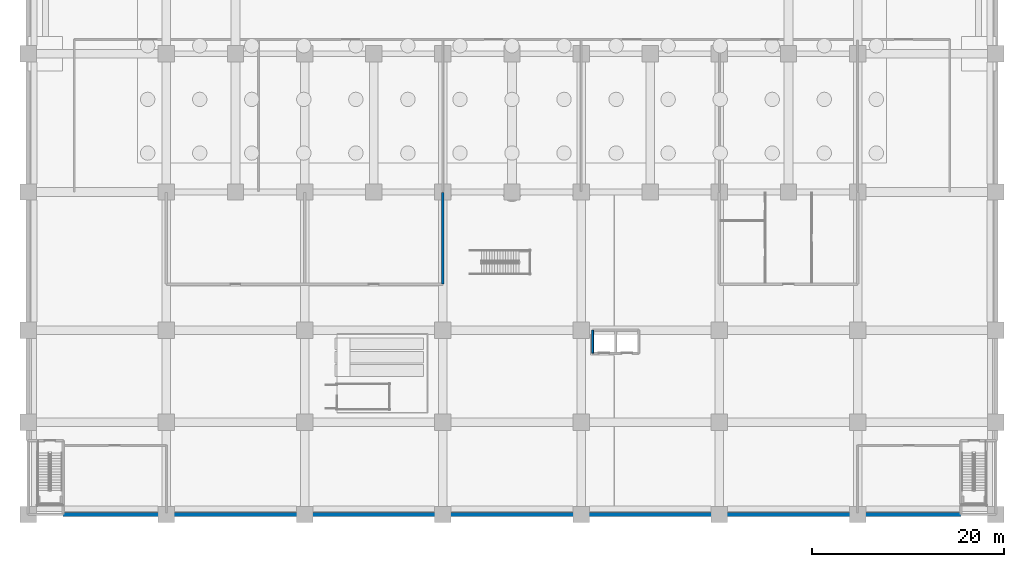
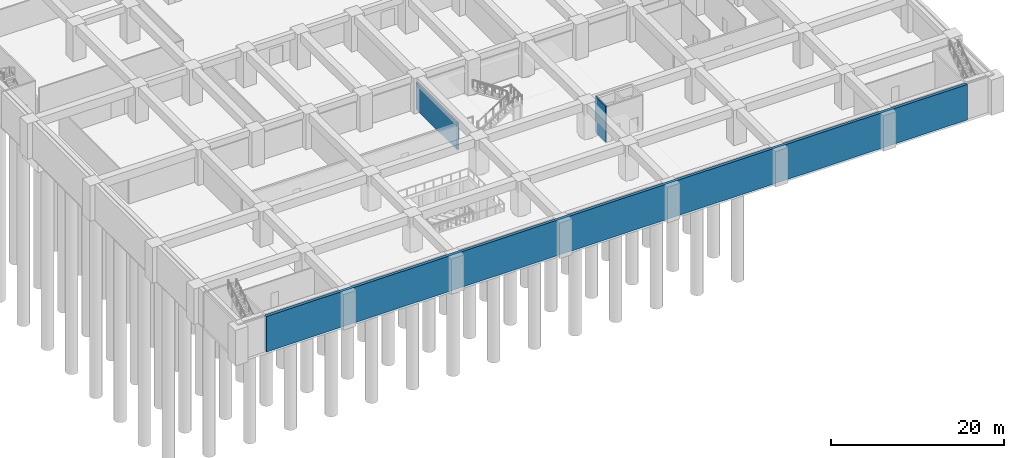
# One storey, part 4 of 20: 3 walls.
"""IFC4 building model written with IfcOpenShell, lengths in metres."""

import ifcopenshell
import ifcopenshell.guid

model = None  # the IFC model being written
_history = None  # IfcOwnerHistory: only IFC2X3 demands one
_inside = {}  # id of a spatial element -> (the spatial element, [elements in it])
_under = {}  # id of a project, library or spatial element -> (it, [spatial elements below it])
_declared = {}  # id of a project -> (the project, [libraries it declares])
_typed = {}  # id of a type object -> (the type object, [elements of that type])
_made_of = {}  # id of a material, layer set ... -> (it, [elements and type objects made of it])


def new_model(schema):
    """Start an empty IFC model of exactly this schema.

    Asked for "IFC4X3", IfcOpenShell would pick the latest addendum, in which some entities
    have other attributes; the version numbers below select the first issue.
    IFC2X3 requires an IfcOwnerHistory on every rooted entity: one is made here for all.
    """
    global model, _history
    if schema == "IFC4X3":
        model = ifcopenshell.file(schema_version=(4, 3, 0, 0))
    else:
        model = ifcopenshell.file(schema=schema)
    _inside.clear()
    _under.clear()
    _declared.clear()
    _typed.clear()
    _made_of.clear()
    _history = None
    if model.schema == "IFC2X3":
        org = make("IfcOrganization", Name="unknown")
        user = make(
            "IfcPersonAndOrganization",
            ThePerson=make("IfcPerson", FamilyName="unknown"),
            TheOrganization=org,
        )
        app = make(
            "IfcApplication",
            ApplicationDeveloper=org,
            Version="unknown",
            ApplicationFullName="unknown",
            ApplicationIdentifier="unknown",
        )
        _history = make(
            "IfcOwnerHistory",
            OwningUser=user,
            OwningApplication=app,
            ChangeAction="ADDED",
            CreationDate=0,
        )
    return model


def make(cls, **values):
    """One entity of the class cls with the attributes given. An attribute that is None is left unset."""
    return model.create_entity(
        cls, **{name: value for name, value in values.items() if value is not None}
    )


def rooted(cls, **values):
    """An entity with a GlobalId (a new one), such as an element, a storey or a relation."""
    return make(cls, GlobalId=ifcopenshell.guid.new(), OwnerHistory=_history, **values)


def si_unit(unit_type, name, prefix=None):
    """IfcSIUnit, for example si_unit("LENGTHUNIT", "METRE", prefix="MILLI")."""
    return make("IfcSIUnit", UnitType=unit_type, Prefix=prefix, Name=name)


def assignment(units):
    """IfcUnitAssignment: the units of a project."""
    return None if units is None else make("IfcUnitAssignment", Units=units)


def point(xyz):
    """IfcCartesianPoint."""
    return None if xyz is None else make("IfcCartesianPoint", Coordinates=xyz)


def direction(xyz):
    """IfcDirection."""
    return None if xyz is None else make("IfcDirection", DirectionRatios=xyz)


def frame(location, z_axis=None, x_axis=None):
    """IfcAxis2Placement3D, a coordinate frame: its origin and axes. An axis left out is left unset."""
    return make(
        "IfcAxis2Placement3D",
        Location=point(location),
        Axis=direction(z_axis),
        RefDirection=direction(x_axis),
    )


def frame_2d(location, x_axis=None):
    """IfcAxis2Placement2D, a coordinate frame in the plane: its origin and x axis."""
    return make(
        "IfcAxis2Placement2D", Location=point(location), RefDirection=direction(x_axis)
    )


def origin():
    """The frame at (0, 0, 0) with its axes left unset."""
    return frame((0.0, 0.0, 0.0))


def place(relative_to, where):
    """IfcLocalPlacement: puts the frame where relative to a parent placement (None: the world)."""
    return make(
        "IfcLocalPlacement", PlacementRelTo=relative_to, RelativePlacement=where
    )


def context(
    kind, dimensions, precision=None, world=None, true_north=None, identifier=None
):
    """IfcGeometricRepresentationContext, for example the 3D "Model" context."""
    return make(
        "IfcGeometricRepresentationContext",
        ContextIdentifier=identifier,
        ContextType=kind,
        CoordinateSpaceDimension=dimensions,
        Precision=precision,
        WorldCoordinateSystem=world,
        TrueNorth=true_north,
    )


def subcontext(parent, identifier, kind, view, scale=None):
    """IfcGeometricRepresentationSubContext, for example "Body" below "Model"."""
    return make(
        "IfcGeometricRepresentationSubContext",
        ContextIdentifier=identifier,
        ContextType=kind,
        ParentContext=parent,
        TargetScale=scale,
        TargetView=view,
    )


def project(units=None, contexts=None):
    """IfcProject with its units and contexts."""
    return rooted(
        "IfcProject",
        Name="project",
        RepresentationContexts=contexts,
        UnitsInContext=assignment(units),
    )


def spatial(cls, under=None, at=None, **own):
    """A site, building, storey or space (cls), placed at a placement, below another one or the project."""
    s = rooted(cls, ObjectPlacement=at, **own)
    if under is not None:
        _under.setdefault(under.id(), (under, []))[1].append(s)
    return s


def profile(cls, at=None, kind="AREA", **sizes):
    """A parametric profile (cls). Its sizes go by their IFC names, for example OverallWidth=200.0."""
    return make(cls, ProfileType=kind, Position=at, **sizes)


def rectangle(**sizes):
    """IfcRectangleProfileDef."""
    return profile("IfcRectangleProfileDef", **sizes)


def extrude(swept, where, along, depth):
    """IfcExtrudedAreaSolid: the profile swept, set in the frame where, extruded along a direction by depth."""
    return make(
        "IfcExtrudedAreaSolid",
        SweptArea=swept,
        Position=where,
        ExtrudedDirection=direction(along),
        Depth=depth,
    )


def shape(context_of_items, identifier, shape_type, items):
    """IfcShapeRepresentation: the items that make up one representation, for example the "Body"."""
    return make(
        "IfcShapeRepresentation",
        ContextOfItems=context_of_items,
        RepresentationIdentifier=identifier,
        RepresentationType=shape_type,
        Items=items,
    )


def material(Name=None, Category=None):
    """IfcMaterial."""
    return make("IfcMaterial", Name=Name, Category=Category)


def layer(
    of_material, thickness, ventilated=None, Name=None, Category=None, Priority=None
):
    """IfcMaterialLayer: one layer of a wall or slab, of a material (None: an air gap)."""
    return make(
        "IfcMaterialLayer",
        Material=of_material,
        LayerThickness=thickness,
        IsVentilated=ventilated,
        Name=Name,
        Category=Category,
        Priority=Priority,
    )


def layer_set(layers, Name=None):
    """IfcMaterialLayerSet."""
    return make("IfcMaterialLayerSet", MaterialLayers=layers, LayerSetName=Name)


def made_of(thing, what):
    """Note that an element or type object is made of a material, layer set ...; save() writes the relation."""
    if what is not None:
        _made_of.setdefault(what.id(), (what, []))[1].append(thing)
    return thing


def type_object(cls, material=None, **own):
    """A type object (cls), such as IfcWallType, which elements share."""
    return made_of(rooted(cls, **own), material)


def element(
    cls,
    number,
    at=None,
    inside=None,
    cuts=None,
    type_object=None,
    material=None,
    context=None,
    identifier="Body",
    shape_type=None,
    held_by="IfcProductDefinitionShape",
    body=None,
    shapes=None,
    **own,
):
    """One element of the class cls, such as IfcWall. Its Tag is "e" and its number.

    at: its placement. inside: the storey or other place that contains it. cuts: it is an
    opening in that element (IfcRelVoidsElement). A single representation is given by context,
    identifier, shape_type and body (its items); several are given by shapes. held_by: the class
    of the entity that holds the representations. save() writes the other relations.
    """
    e = rooted(cls, Tag="e%d" % number, ObjectPlacement=at, **own)
    if body is not None:
        shapes = [shape(context, identifier, shape_type, body)]
    if shapes is not None:
        e.Representation = make(held_by, Representations=shapes)
    if inside is not None:
        _inside.setdefault(inside.id(), (inside, []))[1].append(e)
    if cuts is not None:
        rooted(
            "IfcRelVoidsElement", RelatingBuildingElement=cuts, RelatedOpeningElement=e
        )
    if type_object is not None:
        _typed.setdefault(type_object.id(), (type_object, []))[1].append(e)
    return made_of(e, material)


def aggregate(whole, parts):
    """IfcRelAggregates: a whole, such as a stair, and the parts it consists of."""
    return rooted("IfcRelAggregates", RelatingObject=whole, RelatedObjects=parts)


def save(model, path):
    """Write the relations noted so far, then the file.

    IfcRelAggregates (storeys below a building ...), IfcRelContainedInSpatialStructure (elements
    in a storey), IfcRelDefinesByType, IfcRelAssociatesMaterial and IfcRelDeclares: one each for
    every whole, place, type object, material and project.
    """
    for whole, parts in _under.values():
        aggregate(whole, parts)
    for where, things in _inside.values():
        rooted(
            "IfcRelContainedInSpatialStructure",
            RelatedElements=things,
            RelatingStructure=where,
        )
    for kind, things in _typed.values():
        rooted("IfcRelDefinesByType", RelatedObjects=things, RelatingType=kind)
    for what, things in _made_of.values():
        rooted("IfcRelAssociatesMaterial", RelatedObjects=things, RelatingMaterial=what)
    for by, libraries in _declared.values():
        rooted("IfcRelDeclares", RelatingContext=by, RelatedDefinitions=libraries)
    model.write(path)


model = new_model("IFC4")

# Units and contexts
model_context = context("Model", 3, precision=1e-05, world=origin(), true_north=direction((0.0, 1.0)))
body_context = subcontext(model_context, "Body", "Model", "MODEL_VIEW")
ifc_project = project(units=[si_unit("LENGTHUNIT", "METRE"), si_unit("AREAUNIT", "SQUARE_METRE"), si_unit("VOLUMEUNIT", "CUBIC_METRE"), si_unit("PLANEANGLEUNIT", "RADIAN"), si_unit("MASSUNIT", "GRAM", prefix="KILO")], contexts=[model_context])

# Site, building, storey
site_placement = place(None, origin())
site = spatial("IfcSite", under=ifc_project, at=site_placement, CompositionType="ELEMENT")
building_placement = place(site_placement, origin())
building = spatial("IfcBuilding", under=site, at=building_placement, Name="Saffron Iwan Residences", CompositionType="ELEMENT")
storey_placement = place(building_placement, frame((0.0, 0.0, -5.39990234375)))
storey = spatial("IfcBuildingStorey", under=building, at=storey_placement, Name="B1", CompositionType="ELEMENT", Elevation=-5.39990234375)

# Walls
ifc_material = material(Name="Concrete C40/50", Category="concrete")
ifc_layer_1 = layer(ifc_material, 0.39990234375)
ifc_layer_set_1 = layer_set([ifc_layer_1], Name="Concrete C40/50")
wall_type_1 = type_object("IfcWallType", Name="Basement wall 400", PredefinedType="SOLIDWALL", material=ifc_layer_set_1)
wall_1_placement = place(storey_placement, frame((3.64990234375, 0.0, 0.0), z_axis=(0.0, 0.0, 1.0), x_axis=(1.0, 0.0, 0.0)))
element("IfcWall", 1, at=wall_1_placement, inside=storey, type_object=wall_type_1, Name="W-B1-001", PredefinedType="SOLIDWALL", context=body_context, shape_type="SweptSolid", body=[
    extrude(rectangle(XDim=93.5, YDim=0.39990234375, at=frame_2d((46.75, 0.0))), origin(), (0.0, 0.0, 1.0), 5.0),
])
ifc_layer_2 = layer(ifc_material, 0.25)
ifc_layer_set_2 = layer_set([ifc_layer_2], Name="Concrete C40/50")
wall_type_2 = type_object("IfcWallType", Name="Fire compartment wall 250", PredefinedType="SOLIDWALL", material=ifc_layer_set_2)
wall_2_placement = place(storey_placement, frame((43.199951171875, 24.0, 0.0), z_axis=(0.0, 0.0, 1.0), x_axis=(0.0, 1.0, 0.0)))
element("IfcWall", 2, at=wall_2_placement, inside=storey, type_object=wall_type_2, Name="W-B1-037", PredefinedType="SOLIDWALL", context=body_context, shape_type="SweptSolid", body=[
    extrude(rectangle(XDim=9.52490234375, YDim=0.25, at=frame_2d((4.762451171875, 0.0))), origin(), (0.0, 0.0, 1.0), 3.7998046875),
])
ifc_layer_3 = layer(ifc_material, 0.199951171875)
ifc_layer_set_3 = layer_set([ifc_layer_3], Name="Concrete C40/50")
wall_type_3 = type_object("IfcWallType", Name="Reinforced concrete stair wall 200", PredefinedType="SOLIDWALL", material=ifc_layer_set_3)
wall_3_placement = place(storey_placement, frame((58.800048828125, 16.800048828125, 0.0), z_axis=(0.0, 0.0, 1.0), x_axis=(0.0, 1.0, 0.0)))
element("IfcWall", 3, at=wall_3_placement, inside=storey, type_object=wall_type_3, Name="W-B1-039", PredefinedType="SOLIDWALL", context=body_context, shape_type="SweptSolid", body=[
    extrude(rectangle(XDim=2.39990234375, YDim=0.199951171875, at=frame_2d((1.199951171875, 0.0))), origin(), (0.0, 0.0, 1.0), 5.0),
])

save(model, "model.ifc")
